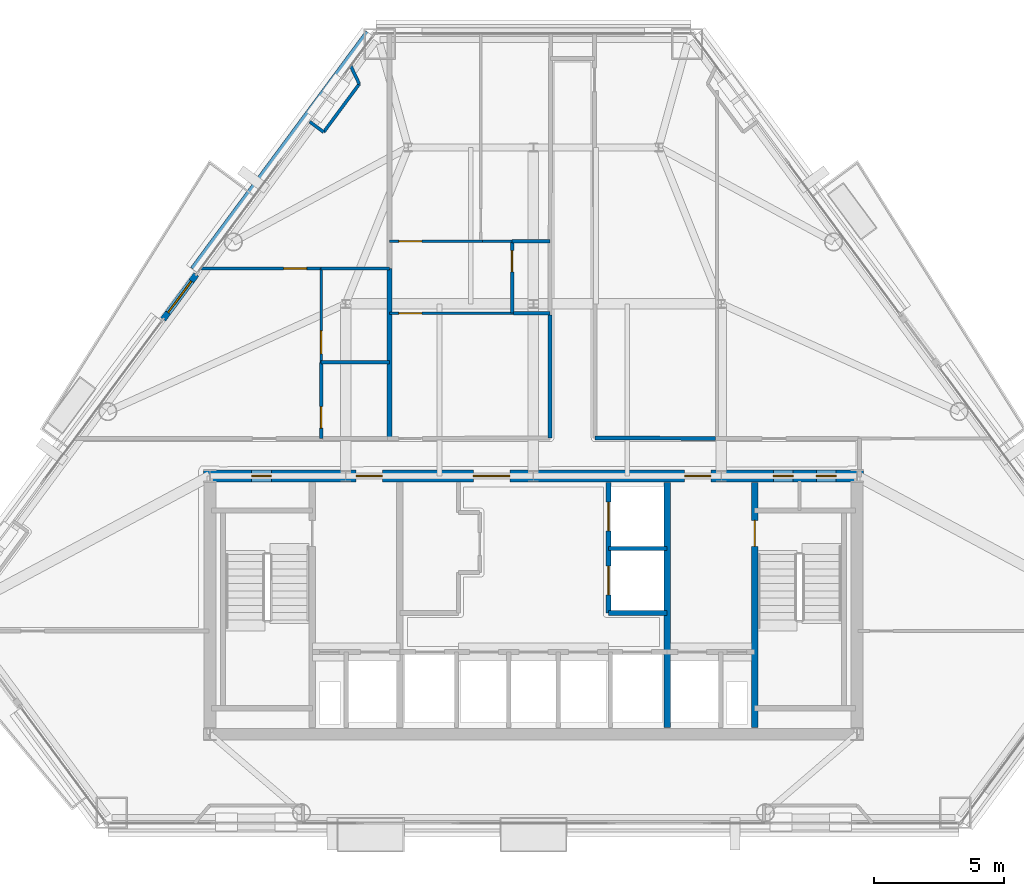
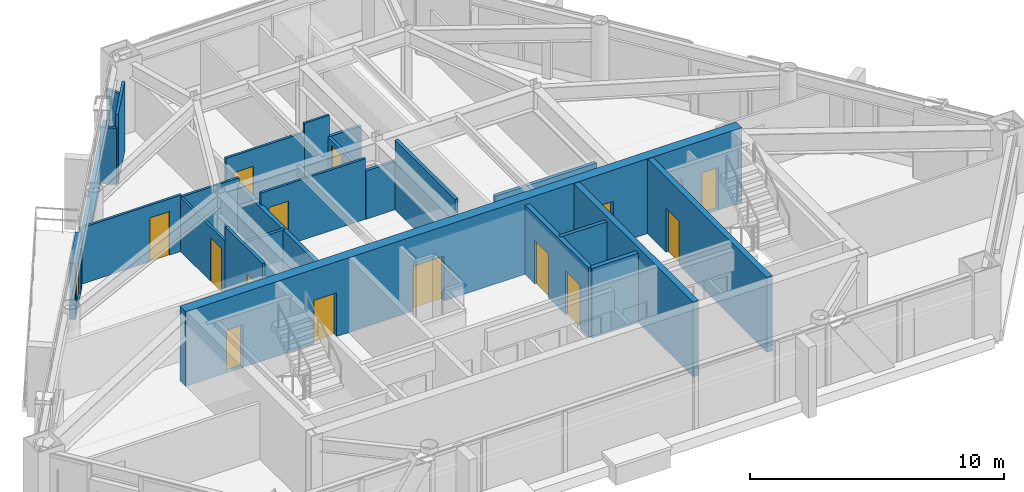
# One storey, part 9 of 13: 25 walls, 16 doors, 16 openings.
"""IFC4 building model written with IfcOpenShell, lengths in metres."""

import ifcopenshell
import ifcopenshell.guid

model = None  # the IFC model being written
_history = None  # IfcOwnerHistory: only IFC2X3 demands one
_inside = {}  # id of a spatial element -> (the spatial element, [elements in it])
_under = {}  # id of a project, library or spatial element -> (it, [spatial elements below it])
_declared = {}  # id of a project -> (the project, [libraries it declares])
_typed = {}  # id of a type object -> (the type object, [elements of that type])
_made_of = {}  # id of a material, layer set ... -> (it, [elements and type objects made of it])


def new_model(schema):
    """Start an empty IFC model of exactly this schema.

    Asked for "IFC4X3", IfcOpenShell would pick the latest addendum, in which some entities
    have other attributes; the version numbers below select the first issue.
    IFC2X3 requires an IfcOwnerHistory on every rooted entity: one is made here for all.
    """
    global model, _history
    if schema == "IFC4X3":
        model = ifcopenshell.file(schema_version=(4, 3, 0, 0))
    else:
        model = ifcopenshell.file(schema=schema)
    _inside.clear()
    _under.clear()
    _declared.clear()
    _typed.clear()
    _made_of.clear()
    _history = None
    if model.schema == "IFC2X3":
        org = make("IfcOrganization", Name="unknown")
        user = make(
            "IfcPersonAndOrganization",
            ThePerson=make("IfcPerson", FamilyName="unknown"),
            TheOrganization=org,
        )
        app = make(
            "IfcApplication",
            ApplicationDeveloper=org,
            Version="unknown",
            ApplicationFullName="unknown",
            ApplicationIdentifier="unknown",
        )
        _history = make(
            "IfcOwnerHistory",
            OwningUser=user,
            OwningApplication=app,
            ChangeAction="ADDED",
            CreationDate=0,
        )
    return model


def make(cls, **values):
    """One entity of the class cls with the attributes given. An attribute that is None is left unset."""
    return model.create_entity(
        cls, **{name: value for name, value in values.items() if value is not None}
    )


def rooted(cls, **values):
    """An entity with a GlobalId (a new one), such as an element, a storey or a relation."""
    return make(cls, GlobalId=ifcopenshell.guid.new(), OwnerHistory=_history, **values)


def si_unit(unit_type, name, prefix=None):
    """IfcSIUnit, for example si_unit("LENGTHUNIT", "METRE", prefix="MILLI")."""
    return make("IfcSIUnit", UnitType=unit_type, Prefix=prefix, Name=name)


def assignment(units):
    """IfcUnitAssignment: the units of a project."""
    return None if units is None else make("IfcUnitAssignment", Units=units)


def point(xyz):
    """IfcCartesianPoint."""
    return None if xyz is None else make("IfcCartesianPoint", Coordinates=xyz)


def direction(xyz):
    """IfcDirection."""
    return None if xyz is None else make("IfcDirection", DirectionRatios=xyz)


def frame(location, z_axis=None, x_axis=None):
    """IfcAxis2Placement3D, a coordinate frame: its origin and axes. An axis left out is left unset."""
    return make(
        "IfcAxis2Placement3D",
        Location=point(location),
        Axis=direction(z_axis),
        RefDirection=direction(x_axis),
    )


def frame_2d(location, x_axis=None):
    """IfcAxis2Placement2D, a coordinate frame in the plane: its origin and x axis."""
    return make(
        "IfcAxis2Placement2D", Location=point(location), RefDirection=direction(x_axis)
    )


def origin():
    """The frame at (0, 0, 0) with its axes left unset."""
    return frame((0.0, 0.0, 0.0))


def place(relative_to, where):
    """IfcLocalPlacement: puts the frame where relative to a parent placement (None: the world)."""
    return make(
        "IfcLocalPlacement", PlacementRelTo=relative_to, RelativePlacement=where
    )


def context(
    kind, dimensions, precision=None, world=None, true_north=None, identifier=None
):
    """IfcGeometricRepresentationContext, for example the 3D "Model" context."""
    return make(
        "IfcGeometricRepresentationContext",
        ContextIdentifier=identifier,
        ContextType=kind,
        CoordinateSpaceDimension=dimensions,
        Precision=precision,
        WorldCoordinateSystem=world,
        TrueNorth=true_north,
    )


def subcontext(parent, identifier, kind, view, scale=None):
    """IfcGeometricRepresentationSubContext, for example "Body" below "Model"."""
    return make(
        "IfcGeometricRepresentationSubContext",
        ContextIdentifier=identifier,
        ContextType=kind,
        ParentContext=parent,
        TargetScale=scale,
        TargetView=view,
    )


def project(units=None, contexts=None):
    """IfcProject with its units and contexts."""
    return rooted(
        "IfcProject",
        Name="project",
        RepresentationContexts=contexts,
        UnitsInContext=assignment(units),
    )


def spatial(cls, under=None, at=None, **own):
    """A site, building, storey or space (cls), placed at a placement, below another one or the project."""
    s = rooted(cls, ObjectPlacement=at, **own)
    if under is not None:
        _under.setdefault(under.id(), (under, []))[1].append(s)
    return s


def profile(cls, at=None, kind="AREA", **sizes):
    """A parametric profile (cls). Its sizes go by their IFC names, for example OverallWidth=200.0."""
    return make(cls, ProfileType=kind, Position=at, **sizes)


def rectangle(**sizes):
    """IfcRectangleProfileDef."""
    return profile("IfcRectangleProfileDef", **sizes)


def extrude(swept, where, along, depth):
    """IfcExtrudedAreaSolid: the profile swept, set in the frame where, extruded along a direction by depth."""
    return make(
        "IfcExtrudedAreaSolid",
        SweptArea=swept,
        Position=where,
        ExtrudedDirection=direction(along),
        Depth=depth,
    )


def shape(context_of_items, identifier, shape_type, items):
    """IfcShapeRepresentation: the items that make up one representation, for example the "Body"."""
    return make(
        "IfcShapeRepresentation",
        ContextOfItems=context_of_items,
        RepresentationIdentifier=identifier,
        RepresentationType=shape_type,
        Items=items,
    )


def material(Name=None, Category=None):
    """IfcMaterial."""
    return make("IfcMaterial", Name=Name, Category=Category)


def layer(
    of_material, thickness, ventilated=None, Name=None, Category=None, Priority=None
):
    """IfcMaterialLayer: one layer of a wall or slab, of a material (None: an air gap)."""
    return make(
        "IfcMaterialLayer",
        Material=of_material,
        LayerThickness=thickness,
        IsVentilated=ventilated,
        Name=Name,
        Category=Category,
        Priority=Priority,
    )


def layer_set(layers, Name=None):
    """IfcMaterialLayerSet."""
    return make("IfcMaterialLayerSet", MaterialLayers=layers, LayerSetName=Name)


def made_of(thing, what):
    """Note that an element or type object is made of a material, layer set ...; save() writes the relation."""
    if what is not None:
        _made_of.setdefault(what.id(), (what, []))[1].append(thing)
    return thing


def type_object(cls, material=None, **own):
    """A type object (cls), such as IfcWallType, which elements share."""
    return made_of(rooted(cls, **own), material)


def element(
    cls,
    number,
    at=None,
    inside=None,
    cuts=None,
    type_object=None,
    material=None,
    context=None,
    identifier="Body",
    shape_type=None,
    held_by="IfcProductDefinitionShape",
    body=None,
    shapes=None,
    **own,
):
    """One element of the class cls, such as IfcWall. Its Tag is "e" and its number.

    at: its placement. inside: the storey or other place that contains it. cuts: it is an
    opening in that element (IfcRelVoidsElement). A single representation is given by context,
    identifier, shape_type and body (its items); several are given by shapes. held_by: the class
    of the entity that holds the representations. save() writes the other relations.
    """
    e = rooted(cls, Tag="e%d" % number, ObjectPlacement=at, **own)
    if body is not None:
        shapes = [shape(context, identifier, shape_type, body)]
    if shapes is not None:
        e.Representation = make(held_by, Representations=shapes)
    if inside is not None:
        _inside.setdefault(inside.id(), (inside, []))[1].append(e)
    if cuts is not None:
        rooted(
            "IfcRelVoidsElement", RelatingBuildingElement=cuts, RelatedOpeningElement=e
        )
    if type_object is not None:
        _typed.setdefault(type_object.id(), (type_object, []))[1].append(e)
    return made_of(e, material)


def fill(opening, filler):
    """IfcRelFillsElement: the door or window that sits in an opening."""
    return rooted(
        "IfcRelFillsElement",
        RelatingOpeningElement=opening,
        RelatedBuildingElement=filler,
    )


def aggregate(whole, parts):
    """IfcRelAggregates: a whole, such as a stair, and the parts it consists of."""
    return rooted("IfcRelAggregates", RelatingObject=whole, RelatedObjects=parts)


def save(model, path):
    """Write the relations noted so far, then the file.

    IfcRelAggregates (storeys below a building ...), IfcRelContainedInSpatialStructure (elements
    in a storey), IfcRelDefinesByType, IfcRelAssociatesMaterial and IfcRelDeclares: one each for
    every whole, place, type object, material and project.
    """
    for whole, parts in _under.values():
        aggregate(whole, parts)
    for where, things in _inside.values():
        rooted(
            "IfcRelContainedInSpatialStructure",
            RelatedElements=things,
            RelatingStructure=where,
        )
    for kind, things in _typed.values():
        rooted("IfcRelDefinesByType", RelatedObjects=things, RelatingType=kind)
    for what, things in _made_of.values():
        rooted("IfcRelAssociatesMaterial", RelatedObjects=things, RelatingMaterial=what)
    for by, libraries in _declared.values():
        rooted("IfcRelDeclares", RelatingContext=by, RelatedDefinitions=libraries)
    model.write(path)


model = new_model("IFC4")

# Units and contexts
model_context = context("Model", 3, precision=1e-05, world=origin(), true_north=direction((0.0, 1.0)))
body_context = subcontext(model_context, "Body", "Model", "MODEL_VIEW")
ifc_project = project(units=[si_unit("LENGTHUNIT", "METRE"), si_unit("AREAUNIT", "SQUARE_METRE"), si_unit("VOLUMEUNIT", "CUBIC_METRE"), si_unit("PLANEANGLEUNIT", "RADIAN"), si_unit("MASSUNIT", "GRAM", prefix="KILO")], contexts=[model_context])

# Site, building, storey
site_placement = place(None, origin())
site = spatial("IfcSite", under=ifc_project, at=site_placement, CompositionType="ELEMENT")
building_placement = place(site_placement, origin())
building = spatial("IfcBuilding", under=site, at=building_placement, Name="Talgorran Terracotta Tower", CompositionType="ELEMENT")
storey_placement = place(building_placement, frame((0.0, 0.0, 99.60009765625)))
storey = spatial("IfcBuildingStorey", under=building, at=storey_placement, Name="L25", CompositionType="ELEMENT", Elevation=99.60009765625)

# Wall, opening, door
ifc_material_1 = material(Name="Concrete C40/50", Category="concrete")
ifc_layer_1 = layer(ifc_material_1, 0.239990234375, Name="WT_BALCONY_SPAND")
ifc_layer_set_1 = layer_set([ifc_layer_1], Name="Concrete C40/50")
wall_type_1 = type_object("IfcWallType", Name="WT_BALCONY_SPAND", PredefinedType="STANDARD", material=ifc_layer_set_1)
wall_1_placement = place(storey_placement, frame((-12.92626953125, 3.52783203125, -0.01513671875), z_axis=(0.0, 0.0, 1.0), x_axis=(-0.594840056707, -0.803844081235, 0.0)))
wall_1 = element("IfcWall", 1, at=wall_1_placement, inside=storey, type_object=wall_type_1, Name="WL-L25-BALP-BAL-NW", PredefinedType="STANDARD", context=body_context, shape_type="SweptSolid", body=[
    extrude(rectangle(XDim=2.139892578125, YDim=0.239990234375, at=frame_2d((1.06982421875, 0.0))), origin(), (0.0, 0.0, 1.0), 2.728515625),
])
opening_1_placement = place(wall_1_placement, frame((0.320068359375, 0.0, 0.014892578125)))
opening_1 = element("IfcOpeningElement", 2, at=opening_1_placement, cuts=wall_1, Name="Opening D-BAL-L25-2", PredefinedType="OPENING", context=body_context, shape_type="SweptSolid", body=[
    extrude(rectangle(XDim=1.506, YDim=2.203951171875, at=frame_2d((0.75, 1.10205078125))), frame((0.0, 0.1298828125, 0.0), z_axis=(0.0, -1.0, 0.0), x_axis=(1.0, 0.0, 0.0)), (0.0, 0.0, 1.0), 0.260009765625),
])
ifc_material_2 = material(Name="Thermally Broken Aluminium", Category="aluminium")
door_type_1 = type_object("IfcDoorType", Name="DT_BALC_1500", OperationType="SLIDING_TO_RIGHT", PredefinedType="DOOR", material=ifc_material_2)
door_1_placement = place(opening_1_placement, origin())
door_1 = element("IfcDoor", 3, at=door_1_placement, inside=storey, type_object=door_type_1, Name="DR-L25-BAL-BAL-NW", OperationType="SLIDING_TO_RIGHT", OverallHeight=2.199951171875, OverallWidth=1.5, PredefinedType="DOOR", context=body_context, shape_type="SweptSolid", body=[
    extrude(rectangle(XDim=1.5, YDim=2.199951171875, at=frame_2d((0.75, 1.10009765625))), frame((0.0, 0.02490234375, 0.0), z_axis=(0.0, -1.0, 0.0), x_axis=(1.0, 0.0, 0.0)), (0.0, 0.0, 1.0), 0.050048828125),
])
fill(opening_1, door_1)

# Wall, openings, doors
ifc_material_3 = material(Name="Concrete C50/60", Category="concrete")
ifc_layer_2 = layer(ifc_material_3, 0.199951171875, Name="WT_CORE_200")
ifc_layer_set_2 = layer_set([ifc_layer_2], Name="Concrete C50/60")
wall_type_2 = type_object("IfcWallType", Name="WT_CORE_200", PredefinedType="SOLIDWALL", material=ifc_layer_set_2)
wall_2_placement = place(storey_placement, frame((2.8798828125, -9.449951171875, 0.0), z_axis=(0.0, 0.0, 1.0), x_axis=(0.0, 1.0, 0.0)))
wall_2 = element("IfcWall", 4, at=wall_2_placement, inside=storey, type_object=wall_type_2, Name="WL-L25-CW-V-E3", PredefinedType="SOLIDWALL", context=body_context, shape_type="SweptSolid", body=[
    extrude(rectangle(XDim=5.0, YDim=0.199951171875, at=frame_2d((2.5, 0.0))), origin(), (0.0, 0.0, 1.0), 3.349853515625),
])
opening_2_placement = place(wall_2_placement, frame((0.699951171875, 0.0, 0.0)))
opening_2 = element("IfcOpeningElement", 5, at=opening_2_placement, cuts=wall_2, Name="Opening LD-PLM1", PredefinedType="OPENING", context=body_context, shape_type="SweptSolid", body=[
    extrude(rectangle(XDim=1.10609765625, YDim=2.10409765625, at=frame_2d((0.550048828125, 1.052001953125))), frame((0.0, 0.10986328125, 0.0), z_axis=(0.0, -1.0, 0.0), x_axis=(1.0, 0.0, 0.0)), (0.0, 0.0, 1.0), 0.219970703125),
])
opening_3_placement = place(wall_2_placement, frame((3.14990234375, 0.0, 0.0)))
opening_3 = element("IfcOpeningElement", 6, at=opening_3_placement, cuts=wall_2, Name="Opening LD-PLM2", PredefinedType="OPENING", context=body_context, shape_type="SweptSolid", body=[
    extrude(rectangle(XDim=1.10609765625, YDim=2.10409765625, at=frame_2d((0.550048828125, 1.052001953125))), frame((0.0, 0.10986328125, 0.0), z_axis=(0.0, -1.0, 0.0), x_axis=(1.0, 0.0, 0.0)), (0.0, 0.0, 1.0), 0.219970703125),
])
ifc_material_4 = material(Name="Brushed Stainless Steel Grade 304", Category="steel")
door_type_2 = type_object("IfcDoorType", Name="DT_LIFT_LD1100", OperationType="DOUBLE_DOOR_SLIDING", PredefinedType="DOOR", material=ifc_material_4)
door_2_placement = place(opening_2_placement, origin())
door_2 = element("IfcDoor", 7, at=door_2_placement, inside=storey, type_object=door_type_2, Name="L25 Lift Landing Door LD-PLM1", OperationType="DOUBLE_DOOR_SLIDING", OverallHeight=2.10009765625, OverallWidth=1.10009765625, PredefinedType="DOOR", context=body_context, shape_type="SweptSolid", body=[
    extrude(rectangle(XDim=1.10009765625, YDim=2.10009765625, at=frame_2d((0.550048828125, 1.050048828125))), frame((0.0, 0.02490234375, 0.0), z_axis=(0.0, -1.0, 0.0), x_axis=(1.0, 0.0, 0.0)), (0.0, 0.0, 1.0), 0.050048828125),
])
fill(opening_2, door_2)
door_3_placement = place(opening_3_placement, origin())
door_3 = element("IfcDoor", 8, at=door_3_placement, inside=storey, type_object=door_type_2, Name="L25 Lift Landing Door LD-PLM2", OperationType="DOUBLE_DOOR_SLIDING", OverallHeight=2.10009765625, OverallWidth=1.10009765625, PredefinedType="DOOR", context=body_context, shape_type="SweptSolid", body=[
    extrude(rectangle(XDim=1.10009765625, YDim=2.10009765625, at=frame_2d((0.550048828125, 1.050048828125))), frame((0.0, 0.02490234375, 0.0), z_axis=(0.0, -1.0, 0.0), x_axis=(1.0, 0.0, 0.0)), (0.0, 0.0, 1.0), 0.050048828125),
])
fill(opening_3, door_3)

# Wall
wall_3_placement = place(storey_placement, frame((2.8798828125, -9.449951171875, 0.0), z_axis=(0.0, 0.0, 1.0), x_axis=(1.0, 0.0, 0.0)))
element("IfcWall", 9, at=wall_3_placement, inside=storey, type_object=wall_type_2, Name="WL-L25-CW-H-E4", PredefinedType="SOLIDWALL", context=body_context, shape_type="SweptSolid", body=[
    extrude(rectangle(XDim=2.240234375, YDim=0.199951171875, at=frame_2d((1.1201171875, 0.0))), origin(), (0.0, 0.0, 1.0), 3.349853515625),
])

# Wall, opening, door
ifc_layer_3 = layer(ifc_material_3, 0.25, Name="WT_CORE_250")
ifc_layer_set_3 = layer_set([ifc_layer_3], Name="Concrete C50/60")
wall_type_3 = type_object("IfcWallType", Name="WT_CORE_250", PredefinedType="SHEAR", material=ifc_layer_set_3)
wall_4_placement = place(storey_placement, frame((8.47998046875, -13.85009765625, 0.0), z_axis=(0.0, 0.0, 1.0), x_axis=(0.0, 1.0, 0.0)))
wall_4 = element("IfcWall", 10, at=wall_4_placement, inside=storey, type_object=wall_type_3, Name="WL-L25-CW-V-E1", PredefinedType="SHEAR", context=body_context, shape_type="SweptSolid", body=[
    extrude(rectangle(XDim=9.400146484375, YDim=0.25, at=frame_2d((4.7001953125, 0.0))), origin(), (0.0, 0.0, 1.0), 3.599853515625),
])
opening_4_placement = place(wall_4_placement, frame((6.949951171875, 0.0, 0.0)))
opening_4 = element("IfcOpeningElement", 11, at=opening_4_placement, cuts=wall_4, Name="Opening DR-ST02", PredefinedType="OPENING", context=body_context, shape_type="SweptSolid", body=[
    extrude(rectangle(XDim=1.006, YDim=2.10409765625, at=frame_2d((0.5, 1.052001953125))), frame((0.0, 0.135009765625, 0.0), z_axis=(0.0, -1.0, 0.0), x_axis=(1.0, 0.0, 0.0)), (0.0, 0.0, 1.0), 0.27001953125),
])
ifc_material_5 = material(Name="Fire-Rated Pressed Steel", Category="steel")
door_type_3 = type_object("IfcDoorType", Name="DT_FIRE_1000", OperationType="NOTDEFINED", PredefinedType="DOOR", material=ifc_material_5)
door_4_placement = place(opening_4_placement, origin())
door_4 = element("IfcDoor", 12, at=door_4_placement, inside=storey, type_object=door_type_3, Name="DR-ST02", OperationType="SINGLE_SWING_RIGHT", OverallHeight=2.10009765625, OverallWidth=1.0, PredefinedType="DOOR", context=body_context, shape_type="SweptSolid", body=[
    extrude(rectangle(XDim=1.0, YDim=2.10009765625, at=frame_2d((0.5, 1.050048828125))), frame((0.0, 0.02490234375, 0.0), z_axis=(0.0, -1.0, 0.0), x_axis=(1.0, 0.0, 0.0)), (0.0, 0.0, 1.0), 0.050048828125),
])
fill(opening_4, door_4)

# Wall
wall_5_placement = place(storey_placement, frame((5.1201171875, -13.85009765625, 0.0), z_axis=(0.0, 0.0, 1.0), x_axis=(0.0, 1.0, 0.0)))
element("IfcWall", 13, at=wall_5_placement, inside=storey, type_object=wall_type_3, Name="WL-L25-CW-V-E2", PredefinedType="SHEAR", context=body_context, shape_type="SweptSolid", body=[
    extrude(rectangle(XDim=9.400146484375, YDim=0.25, at=frame_2d((4.7001953125, 0.0))), origin(), (0.0, 0.0, 1.0), 3.599853515625),
])

# Wall, openings, doors
ifc_material_6 = material(Name="Concrete C65/80", Category="concrete")
ifc_layer_4 = layer(ifc_material_6, 0.449951171875, Name="WT_CORE_EXT")
ifc_layer_set_4 = layer_set([ifc_layer_4], Name="Concrete C65/80")
wall_type_4 = type_object("IfcWallType", Name="WT_CORE_EXT", PredefinedType="SHEAR", material=ifc_layer_set_4)
wall_6_placement = place(storey_placement, frame((-12.64990234375, -4.199951171875, 0.0), z_axis=(0.0, 0.0, 1.0), x_axis=(1.0, 0.0, 0.0)))
wall_6 = element("IfcWall", 14, at=wall_6_placement, inside=storey, type_object=wall_type_4, Name="WL-L25-CW-OUT-N", PredefinedType="SHEAR", context=body_context, shape_type="SweptSolid", body=[
    extrude(rectangle(XDim=25.2998046875, YDim=0.449951171875, at=frame_2d((12.64990234375, 0.0))), origin(), (0.0, 0.0, 1.0), 3.599853515625),
])
opening_5_placement = place(wall_6_placement, frame((1.85009765625, 0.0, 0.0)))
opening_5 = element("IfcOpeningElement", 15, at=opening_5_placement, cuts=wall_6, Name="Opening DR-CSN1", PredefinedType="OPENING", context=body_context, shape_type="SweptSolid", body=[
    extrude(rectangle(XDim=0.756, YDim=2.054048828125, at=frame_2d((0.375, 1.027099609375))), frame((0.0, 0.23486328125, 0.0), z_axis=(0.0, -1.0, 0.0), x_axis=(1.0, 0.0, 0.0)), (0.0, 0.0, 1.0), 0.469970703125),
])
opening_6_placement = place(wall_6_placement, frame((21.85009765625, 0.0, 0.0)))
opening_6 = element("IfcOpeningElement", 16, at=opening_6_placement, cuts=wall_6, Name="Opening DR-CSN2", PredefinedType="OPENING", context=body_context, shape_type="SweptSolid", body=[
    extrude(rectangle(XDim=0.756, YDim=2.054048828125, at=frame_2d((0.375, 1.027099609375))), frame((0.0, 0.23486328125, 0.0), z_axis=(0.0, -1.0, 0.0), x_axis=(1.0, 0.0, 0.0)), (0.0, 0.0, 1.0), 0.469970703125),
])
opening_7_placement = place(wall_6_placement, frame((23.5, 0.0, 0.0)))
opening_7 = element("IfcOpeningElement", 17, at=opening_7_placement, cuts=wall_6, Name="Opening DR-CSN3", PredefinedType="OPENING", context=body_context, shape_type="SweptSolid", body=[
    extrude(rectangle(XDim=0.756, YDim=2.054048828125, at=frame_2d((0.375, 1.027099609375))), frame((0.0, 0.23486328125, 0.0), z_axis=(0.0, -1.0, 0.0), x_axis=(1.0, 0.0, 0.0)), (0.0, 0.0, 1.0), 0.469970703125),
])
opening_8_placement = place(wall_6_placement, frame((5.85009765625, 0.0, 0.0)))
opening_8 = element("IfcOpeningElement", 18, at=opening_8_placement, cuts=wall_6, Name="Opening DR-FFLW-N", PredefinedType="OPENING", context=body_context, shape_type="SweptSolid", body=[
    extrude(rectangle(XDim=1.006, YDim=2.10409765625, at=frame_2d((0.5, 1.052001953125))), frame((0.0, 0.23486328125, 0.0), z_axis=(0.0, -1.0, 0.0), x_axis=(1.0, 0.0, 0.0)), (0.0, 0.0, 1.0), 0.469970703125),
])
opening_9_placement = place(wall_6_placement, frame((10.35009765625, 0.0, 0.0)))
opening_9 = element("IfcOpeningElement", 19, at=opening_9_placement, cuts=wall_6, Name="Opening DR-PLL-N", PredefinedType="OPENING", context=body_context, shape_type="SweptSolid", body=[
    extrude(rectangle(XDim=1.40590234375, YDim=2.15390234375, at=frame_2d((0.699951171875, 1.076904296875))), frame((0.0, 0.23486328125, 0.0), z_axis=(0.0, -1.0, 0.0), x_axis=(1.0, 0.0, 0.0)), (0.0, 0.0, 1.0), 0.469970703125),
])
opening_10_placement = place(wall_6_placement, frame((18.449951171875, 0.0, 0.0)))
opening_10 = element("IfcOpeningElement", 20, at=opening_10_placement, cuts=wall_6, Name="Opening DR-FFLE-N", PredefinedType="OPENING", context=body_context, shape_type="SweptSolid", body=[
    extrude(rectangle(XDim=1.006, YDim=2.10409765625, at=frame_2d((0.5, 1.052001953125))), frame((0.0, 0.23486328125, 0.0), z_axis=(0.0, -1.0, 0.0), x_axis=(1.0, 0.0, 0.0)), (0.0, 0.0, 1.0), 0.469970703125),
])
ifc_material_7 = material(Name="Acoustic Glazed Timber", Category="wood")
door_type_4 = type_object("IfcDoorType", Name="DT_DOUBLE_1400", OperationType="DOUBLE_DOOR_SINGLE_SWING", PredefinedType="DOOR", material=ifc_material_7)
door_5_placement = place(opening_9_placement, origin())
door_5 = element("IfcDoor", 21, at=door_5_placement, inside=storey, type_object=door_type_4, Name="DR-PLL-N", OperationType="DOUBLE_DOOR_SINGLE_SWING", OverallHeight=2.14990234375, OverallWidth=1.39990234375, PredefinedType="DOOR", context=body_context, shape_type="SweptSolid", body=[
    extrude(rectangle(XDim=1.39990234375, YDim=2.14990234375, at=frame_2d((0.699951171875, 1.074951171875))), frame((0.0, 0.02490234375, 0.0), z_axis=(0.0, -1.0, 0.0), x_axis=(1.0, 0.0, 0.0)), (0.0, 0.0, 1.0), 0.050048828125),
])
fill(opening_9, door_5)
door_6_placement = place(opening_8_placement, origin())
door_6 = element("IfcDoor", 22, at=door_6_placement, inside=storey, type_object=door_type_3, Name="DR-FFLW-N", OperationType="SINGLE_SWING_LEFT", OverallHeight=2.10009765625, OverallWidth=1.0, PredefinedType="DOOR", context=body_context, shape_type="SweptSolid", body=[
    extrude(rectangle(XDim=1.0, YDim=2.10009765625, at=frame_2d((0.5, 1.050048828125))), frame((0.0, 0.02490234375, 0.0), z_axis=(0.0, -1.0, 0.0), x_axis=(1.0, 0.0, 0.0)), (0.0, 0.0, 1.0), 0.050048828125),
])
fill(opening_8, door_6)
door_7_placement = place(opening_10_placement, origin())
door_7 = element("IfcDoor", 23, at=door_7_placement, inside=storey, type_object=door_type_3, Name="DR-FFLE-N", OperationType="SINGLE_SWING_RIGHT", OverallHeight=2.10009765625, OverallWidth=1.0, PredefinedType="DOOR", context=body_context, shape_type="SweptSolid", body=[
    extrude(rectangle(XDim=1.0, YDim=2.10009765625, at=frame_2d((0.5, 1.050048828125))), frame((0.0, 0.02490234375, 0.0), z_axis=(0.0, -1.0, 0.0), x_axis=(1.0, 0.0, 0.0)), (0.0, 0.0, 1.0), 0.050048828125),
])
fill(opening_10, door_7)
door_type_5 = type_object("IfcDoorType", Name="DT_RISER_750", OperationType="NOTDEFINED", PredefinedType="DOOR", material=ifc_material_5)
door_8_placement = place(opening_5_placement, origin())
door_8 = element("IfcDoor", 24, at=door_8_placement, inside=storey, type_object=door_type_5, Name="DR-CSN1", OperationType="SINGLE_SWING_LEFT", OverallHeight=2.050048828125, OverallWidth=0.75, PredefinedType="DOOR", context=body_context, shape_type="SweptSolid", body=[
    extrude(rectangle(XDim=0.75, YDim=2.050048828125, at=frame_2d((0.375, 1.02490234375))), frame((0.0, 0.02490234375, 0.0), z_axis=(0.0, -1.0, 0.0), x_axis=(1.0, 0.0, 0.0)), (0.0, 0.0, 1.0), 0.050048828125),
])
fill(opening_5, door_8)
door_9_placement = place(opening_6_placement, origin())
door_9 = element("IfcDoor", 25, at=door_9_placement, inside=storey, type_object=door_type_5, Name="DR-CSN2", OperationType="SINGLE_SWING_LEFT", OverallHeight=2.050048828125, OverallWidth=0.75, PredefinedType="DOOR", context=body_context, shape_type="SweptSolid", body=[
    extrude(rectangle(XDim=0.75, YDim=2.050048828125, at=frame_2d((0.375, 1.02490234375))), frame((0.0, 0.02490234375, 0.0), z_axis=(0.0, -1.0, 0.0), x_axis=(1.0, 0.0, 0.0)), (0.0, 0.0, 1.0), 0.050048828125),
])
fill(opening_6, door_9)
door_10_placement = place(opening_7_placement, origin())
door_10 = element("IfcDoor", 26, at=door_10_placement, inside=storey, type_object=door_type_5, Name="DR-CSN3", OperationType="SINGLE_SWING_RIGHT", OverallHeight=2.050048828125, OverallWidth=0.75, PredefinedType="DOOR", context=body_context, shape_type="SweptSolid", body=[
    extrude(rectangle(XDim=0.75, YDim=2.050048828125, at=frame_2d((0.375, 1.02490234375))), frame((0.0, 0.02490234375, 0.0), z_axis=(0.0, -1.0, 0.0), x_axis=(1.0, 0.0, 0.0)), (0.0, 0.0, 1.0), 0.050048828125),
])
fill(opening_7, door_10)

# Walls
ifc_material_8 = material(Name="Fire-Rated Steel Stud Plasterboard", Category="steel")
ifc_layer_5 = layer(ifc_material_8, 0.14990234375, Name="WT_FIRE_150")
ifc_layer_set_5 = layer_set([ifc_layer_5], Name="Fire-Rated Steel Stud Plasterboard")
wall_type_5 = type_object("IfcWallType", Name="WT_FIRE_150", PredefinedType="PARTITIONING", material=ifc_layer_set_5)
wall_7_placement = place(storey_placement, frame((0.639892578125, -2.739990234375, 0.0), z_axis=(0.0, 0.0, 1.0), x_axis=(0.0, 1.0, 0.0)))
element("IfcWall", 27, at=wall_7_placement, inside=storey, type_object=wall_type_5, Name="WL-L25-W-L25-R04", PredefinedType="PARTITIONING", context=body_context, shape_type="SweptSolid", body=[
    extrude(rectangle(XDim=4.718017578125, YDim=0.14990234375, at=frame_2d((2.35888671875, 0.0))), origin(), (0.0, 0.0, 1.0), 3.349853515625),
])
wall_8_placement = place(storey_placement, frame((2.360107421875, -2.739990234375, 0.0), z_axis=(0.0, 0.0, 1.0), x_axis=(0.999991056007, -0.0042294097, 0.0)))
element("IfcWall", 28, at=wall_8_placement, inside=storey, type_object=wall_type_5, Name="WL-L25-W-L25-R10", PredefinedType="PARTITIONING", context=body_context, shape_type="SweptSolid", body=[
    extrude(rectangle(XDim=4.617919921875, YDim=0.14990234375, at=frame_2d((2.30908203125, 0.0))), origin(), (0.0, 0.0, 1.0), 2.91845703125),
])
ifc_layer_6 = layer(ifc_material_1, 0.219970703125, Name="WT_PARAPET_RC")
ifc_layer_set_6 = layer_set([ifc_layer_6], Name="Concrete C40/50")
wall_type_6 = type_object("IfcWallType", Name="WT_PARAPET_RC", PredefinedType="PARAPET", material=ifc_layer_set_6)
wall_9_placement = place(storey_placement, frame((-6.29150390625, 12.760986328125, -0.2001953125), z_axis=(0.0, 0.0, 1.0), x_axis=(-0.594907064231, -0.803794491725, 0.0)))
element("IfcWall", 29, at=wall_9_placement, inside=storey, type_object=wall_type_6, Name="L25 Striped Portal Precast Cornice F60", PredefinedType="PARAPET", context=body_context, shape_type="SweptSolid", body=[
    extrude(rectangle(XDim=11.278564453125, YDim=0.360107421875, at=frame_2d((5.63916015625, 0.0))), origin(), (0.0, 0.0, 1.0), 0.380126953125),
])
ifc_material_9 = material(Name="Acoustic Stud and Plasterboard")
ifc_layer_7 = layer(ifc_material_9, 0.179931640625, Name="WT_PARTY_200")
ifc_layer_set_7 = layer_set([ifc_layer_7], Name="Acoustic Stud and Plasterboard")
wall_type_7 = type_object("IfcWallType", Name="WT_PARTY_200", PredefinedType="PARTITIONING", material=ifc_layer_set_7)
wall_10_placement = place(storey_placement, frame((-5.52001953125, -2.760009765625, 0.0), z_axis=(0.0, 0.0, 1.0), x_axis=(0.0, 1.0, 0.0)))
element("IfcWall", 30, at=wall_10_placement, inside=storey, type_object=wall_type_7, Name="WL-L25-W-L25-R16", PredefinedType="PARTITIONING", context=body_context, shape_type="SweptSolid", body=[
    extrude(rectangle(XDim=6.52001953125, YDim=0.179931640625, at=frame_2d((3.260009765625, 0.0))), origin(), (0.0, 0.0, 1.0), 2.324951171875),
])

# Wall, opening, door
ifc_material_10 = material(Name="Lightweight Steel Stud Partition", Category="steel")
ifc_layer_8 = layer(ifc_material_10, 0.10498046875, Name="WT_PART_110")
ifc_layer_set_8 = layer_set([ifc_layer_8], Name="Lightweight Steel Stud Partition")
wall_type_8 = type_object("IfcWallType", Name="WT_PART_110", PredefinedType="PARTITIONING", material=ifc_layer_set_8)
wall_11_placement = place(storey_placement, frame((-5.52001953125, 2.0400390625, 0.0), z_axis=(0.0, 0.0, 1.0), x_axis=(1.0, 0.0, 0.0)))
wall_11 = element("IfcWall", 31, at=wall_11_placement, inside=storey, type_object=wall_type_8, Name="WL-L25-W-L25-R25", PredefinedType="PARTITIONING", context=body_context, shape_type="SweptSolid", body=[
    extrude(rectangle(XDim=4.760009765625, YDim=0.10498046875, at=frame_2d((2.3798828125, 0.0))), origin(), (0.0, 0.0, 1.0), 2.91845703125),
])
opening_11_placement = place(wall_11_placement, frame((0.360107421875, 0.0, 0.0)))
opening_11 = element("IfcOpeningElement", 32, at=opening_11_placement, cuts=wall_11, Name="Opening DR-L25-R07", PredefinedType="OPENING", context=body_context, shape_type="SweptSolid", body=[
    extrude(rectangle(XDim=0.8858828125, YDim=2.10409765625, at=frame_2d((0.43994140625, 1.052001953125))), frame((0.0, 0.0625, 0.0), z_axis=(0.0, -1.0, 0.0), x_axis=(1.0, 0.0, 0.0)), (0.0, 0.0, 1.0), 0.125),
])
ifc_material_11 = material(Name="Solid-Core Painted Timber", Category="wood")
door_type_6 = type_object("IfcDoorType", Name="DT_INT_880", OperationType="NOTDEFINED", PredefinedType="DOOR", material=ifc_material_11)
door_11_placement = place(opening_11_placement, origin())
door_11 = element("IfcDoor", 33, at=door_11_placement, inside=storey, type_object=door_type_6, Name="DR-L25-R07", OperationType="SINGLE_SWING_LEFT", OverallHeight=2.10009765625, OverallWidth=0.8798828125, PredefinedType="DOOR", context=body_context, shape_type="SweptSolid", body=[
    extrude(rectangle(XDim=0.8798828125, YDim=2.10009765625, at=frame_2d((0.43994140625, 1.050048828125))), frame((0.0, 0.02490234375, 0.0), z_axis=(0.0, -1.0, 0.0), x_axis=(1.0, 0.0, 0.0)), (0.0, 0.0, 1.0), 0.050048828125),
])
fill(opening_11, door_11)

wall_12_placement = place(storey_placement, frame((-12.75439453125, 3.760009765625, 0.0), z_axis=(0.0, 0.0, 1.0), x_axis=(1.0, 0.0, 0.0)))
wall_12 = element("IfcWall", 34, at=wall_12_placement, inside=storey, type_object=wall_type_8, Name="WL-L25-W-L25-R21", PredefinedType="PARTITIONING", context=body_context, shape_type="SweptSolid", body=[
    extrude(rectangle(XDim=4.614501953125, YDim=0.10498046875, at=frame_2d((2.30712890625, 0.0))), origin(), (0.0, 0.0, 1.0), 2.71337890625),
])
opening_12_placement = place(wall_12_placement, frame((3.175048828125, 0.0, 0.0)))
opening_12 = element("IfcOpeningElement", 35, at=opening_12_placement, cuts=wall_12, Name="Opening DR-L25-R04", PredefinedType="OPENING", context=body_context, shape_type="SweptSolid", body=[
    extrude(rectangle(XDim=0.8858828125, YDim=2.10409765625, at=frame_2d((0.43994140625, 1.052001953125))), frame((0.0, 0.0625, 0.0), z_axis=(0.0, -1.0, 0.0), x_axis=(1.0, 0.0, 0.0)), (0.0, 0.0, 1.0), 0.125),
])
door_12_placement = place(opening_12_placement, origin())
door_12 = element("IfcDoor", 36, at=door_12_placement, inside=storey, type_object=door_type_6, Name="DR-L25-R04", OperationType="SINGLE_SWING_RIGHT", OverallHeight=2.10009765625, OverallWidth=0.8798828125, PredefinedType="DOOR", context=body_context, shape_type="SweptSolid", body=[
    extrude(rectangle(XDim=0.8798828125, YDim=2.10009765625, at=frame_2d((0.43994140625, 1.050048828125))), frame((0.0, 0.02490234375, 0.0), z_axis=(0.0, -1.0, 0.0), x_axis=(1.0, 0.0, 0.0)), (0.0, 0.0, 1.0), 0.050048828125),
])
fill(opening_12, door_12)

wall_13_placement = place(storey_placement, frame((-8.139892578125, 0.159912109375, 0.0), z_axis=(0.0, 0.0, 1.0), x_axis=(0.0, 1.0, 0.0)))
wall_13 = element("IfcWall", 37, at=wall_13_placement, inside=storey, type_object=wall_type_8, Name="WL-L25-W-L25-R17", PredefinedType="PARTITIONING", context=body_context, shape_type="SweptSolid", body=[
    extrude(rectangle(XDim=3.60009765625, YDim=0.10498046875, at=frame_2d((1.800048828125, 0.0))), origin(), (0.0, 0.0, 1.0), 2.616943359375),
])
opening_13_placement = place(wall_13_placement, frame((0.320068359375, 0.0, 0.0)))
opening_13 = element("IfcOpeningElement", 38, at=opening_13_placement, cuts=wall_13, Name="Opening DR-L25-R02", PredefinedType="OPENING", context=body_context, shape_type="SweptSolid", body=[
    extrude(rectangle(XDim=0.8858828125, YDim=2.10409765625, at=frame_2d((0.43994140625, 1.052001953125))), frame((0.0, 0.0625, 0.0), z_axis=(0.0, -1.0, 0.0), x_axis=(1.0, 0.0, 0.0)), (0.0, 0.0, 1.0), 0.125),
])
door_13_placement = place(opening_13_placement, origin())
door_13 = element("IfcDoor", 39, at=door_13_placement, inside=storey, type_object=door_type_6, Name="DR-L25-R02", OperationType="SINGLE_SWING_RIGHT", OverallHeight=2.10009765625, OverallWidth=0.8798828125, PredefinedType="DOOR", context=body_context, shape_type="SweptSolid", body=[
    extrude(rectangle(XDim=0.8798828125, YDim=2.10009765625, at=frame_2d((0.43994140625, 1.050048828125))), frame((0.0, 0.02490234375, 0.0), z_axis=(0.0, -1.0, 0.0), x_axis=(1.0, 0.0, 0.0)), (0.0, 0.0, 1.0), 0.050048828125),
])
fill(opening_13, door_13)

wall_14_placement = place(storey_placement, frame((-5.52001953125, 4.800048828125, 0.0), z_axis=(0.0, 0.0, 1.0), x_axis=(1.0, 0.0, 0.0)))
wall_14 = element("IfcWall", 40, at=wall_14_placement, inside=storey, type_object=wall_type_8, Name="WL-L25-W-L25-R28", PredefinedType="PARTITIONING", context=body_context, shape_type="SweptSolid", body=[
    extrude(rectangle(XDim=3.56005859375, YDim=0.10498046875, at=frame_2d((1.780029296875, 0.0))), origin(), (0.0, 0.0, 1.0), 2.91845703125),
])
opening_14_placement = place(wall_14_placement, frame((0.360107421875, 0.0, 0.0)))
opening_14 = element("IfcOpeningElement", 41, at=opening_14_placement, cuts=wall_14, Name="Opening DR-L25-R08", PredefinedType="OPENING", context=body_context, shape_type="SweptSolid", body=[
    extrude(rectangle(XDim=0.8858828125, YDim=2.10409765625, at=frame_2d((0.43994140625, 1.052001953125))), frame((0.0, 0.0625, 0.0), z_axis=(0.0, -1.0, 0.0), x_axis=(1.0, 0.0, 0.0)), (0.0, 0.0, 1.0), 0.125),
])
door_14_placement = place(opening_14_placement, origin())
door_14 = element("IfcDoor", 42, at=door_14_placement, inside=storey, type_object=door_type_6, Name="DR-L25-R08", OperationType="SINGLE_SWING_RIGHT", OverallHeight=2.10009765625, OverallWidth=0.8798828125, PredefinedType="DOOR", context=body_context, shape_type="SweptSolid", body=[
    extrude(rectangle(XDim=0.8798828125, YDim=2.10009765625, at=frame_2d((0.43994140625, 1.050048828125))), frame((0.0, 0.02490234375, 0.0), z_axis=(0.0, -1.0, 0.0), x_axis=(1.0, 0.0, 0.0)), (0.0, 0.0, 1.0), 0.050048828125),
])
fill(opening_14, door_14)

# Walls
wall_15_placement = place(storey_placement, frame((-8.139892578125, 3.760009765625, 0.0), z_axis=(0.0, 0.0, 1.0), x_axis=(1.0, 0.0, 0.0)))
element("IfcWall", 43, at=wall_15_placement, inside=storey, type_object=wall_type_8, Name="WL-L25-W-L25-R18", PredefinedType="PARTITIONING", context=body_context, shape_type="SweptSolid", body=[
    extrude(rectangle(XDim=2.619873046875, YDim=0.10498046875, at=frame_2d((1.31005859375, 0.0))), origin(), (0.0, 0.0, 1.0), 2.616943359375),
])
wall_16_placement = place(storey_placement, frame((-1.9580078125, 4.800048828125, 0.0), z_axis=(0.0, 0.0, 1.0), x_axis=(1.0, 0.0, 0.0)))
element("IfcWall", 44, at=wall_16_placement, inside=storey, type_object=wall_type_8, Name="WL-L25-W-L25-R29", PredefinedType="PARTITIONING", context=body_context, shape_type="SweptSolid", body=[
    extrude(rectangle(XDim=1.137939453125, YDim=0.10498046875, at=frame_2d((0.56884765625, 0.0))), origin(), (0.0, 0.0, 1.0), 3.349853515625),
])
ifc_material_12 = material(Name="Insulated Steel Stud Plasterboard", Category="steel")
ifc_layer_9 = layer(ifc_material_12, 0.1201171875, Name="WT_PART_120")
ifc_layer_set_9 = layer_set([ifc_layer_9], Name="Insulated Steel Stud Plasterboard")
wall_type_9 = type_object("IfcWallType", Name="WT_PART_120", PredefinedType="PARTITIONING", material=ifc_layer_set_9)
wall_17_placement = place(storey_placement, frame((-6.677001953125, 10.828369140625, 0.0), z_axis=(0.0, 0.0, 1.0), x_axis=(-0.594914508596, -0.803788981924, 0.0)))
element("IfcWall", 45, at=wall_17_placement, inside=storey, type_object=wall_type_9, Name="WL-L25-BW-L25-15", PredefinedType="PARTITIONING", context=body_context, shape_type="SweptSolid", body=[
    extrude(rectangle(XDim=2.29443359375, YDim=0.1201171875, at=frame_2d((1.147216796875, 0.0))), origin(), (0.0, 0.0, 1.0), 3.349853515625),
])
wall_18_placement = place(storey_placement, frame((-7.0029296875, 11.51416015625, 0.0), z_axis=(0.0, 0.0, 1.0), x_axis=(0.429247003256, -0.903187140185, 0.0)))
element("IfcWall", 46, at=wall_18_placement, inside=storey, type_object=wall_type_9, Name="WL-L25-BW-L25-14", PredefinedType="PARTITIONING", context=body_context, shape_type="SweptSolid", body=[
    extrude(rectangle(XDim=0.75927734375, YDim=0.1201171875, at=frame_2d((0.379638671875, 0.0))), origin(), (0.0, 0.0, 1.0), 2.71337890625),
])
wall_19_placement = place(storey_placement, frame((-8.0419921875, 8.984130859375, 0.0), z_axis=(0.0, 0.0, 1.0), x_axis=(-0.803615295139, 0.595149105198, 0.0)))
element("IfcWall", 47, at=wall_19_placement, inside=storey, type_object=wall_type_9, Name="WL-L25-BW-L25-16", PredefinedType="PARTITIONING", context=body_context, shape_type="SweptSolid", body=[
    extrude(rectangle(XDim=0.669921875, YDim=0.1201171875, at=frame_2d((0.3349609375, 0.0))), origin(), (0.0, 0.0, 1.0), 2.71337890625),
])

# Wall, opening, door
ifc_material_13 = material(Name="Moisture-Resistant Stud Wall")
ifc_layer_10 = layer(ifc_material_13, 0.135009765625, Name="WT_PART_135")
ifc_layer_set_10 = layer_set([ifc_layer_10], Name="Moisture-Resistant Stud Wall")
wall_type_10 = type_object("IfcWallType", Name="WT_PART_135", PredefinedType="PARTITIONING", material=ifc_layer_set_10)
wall_20_placement = place(storey_placement, frame((-8.139892578125, -2.760009765625, 0.0), z_axis=(0.0, 0.0, 1.0), x_axis=(0.0, 1.0, 0.0)))
wall_20 = element("IfcWall", 48, at=wall_20_placement, inside=storey, type_object=wall_type_10, Name="WL-L25-W-L25-R15", PredefinedType="PARTITIONING", context=body_context, shape_type="SweptSolid", body=[
    extrude(rectangle(XDim=2.919921875, YDim=0.135009765625, at=frame_2d((1.4599609375, 0.0))), origin(), (0.0, 0.0, 1.0), 3.349853515625),
])
opening_15_placement = place(wall_20_placement, frame((0.39697265625, 0.0, 0.0)))
opening_15 = element("IfcOpeningElement", 49, at=opening_15_placement, cuts=wall_20, Name="Opening DR-L25-R01", PredefinedType="OPENING", context=body_context, shape_type="SweptSolid", body=[
    extrude(rectangle(XDim=0.826068359375, YDim=2.10409765625, at=frame_2d((0.41015625, 1.052001953125))), frame((0.0, 0.07763671875, 0.0), z_axis=(0.0, -1.0, 0.0), x_axis=(1.0, 0.0, 0.0)), (0.0, 0.0, 1.0), 0.155029296875),
])
ifc_material_14 = material(Name="Moisture-Resistant Solid Timber", Category="wood")
door_type_7 = type_object("IfcDoorType", Name="DT_INT_820", OperationType="NOTDEFINED", PredefinedType="DOOR", material=ifc_material_14)
door_15_placement = place(opening_15_placement, origin())
door_15 = element("IfcDoor", 50, at=door_15_placement, inside=storey, type_object=door_type_7, Name="DR-L25-R01", OperationType="SINGLE_SWING_LEFT", OverallHeight=2.10009765625, OverallWidth=0.820068359375, PredefinedType="DOOR", context=body_context, shape_type="SweptSolid", body=[
    extrude(rectangle(XDim=0.820068359375, YDim=2.10009765625, at=frame_2d((0.41015625, 1.050048828125))), frame((0.0, 0.02490234375, 0.0), z_axis=(0.0, -1.0, 0.0), x_axis=(1.0, 0.0, 0.0)), (0.0, 0.0, 1.0), 0.050048828125),
])
fill(opening_15, door_15)

wall_21_placement = place(storey_placement, frame((-0.820068359375, 2.0400390625, 0.0), z_axis=(0.0, 0.0, 1.0), x_axis=(0.0, 1.0, 0.0)))
wall_21 = element("IfcWall", 51, at=wall_21_placement, inside=storey, type_object=wall_type_10, Name="WL-L25-W-L25-R26", PredefinedType="PARTITIONING", context=body_context, shape_type="SweptSolid", body=[
    extrude(rectangle(XDim=2.760009765625, YDim=0.135009765625, at=frame_2d((1.3798828125, 0.0))), origin(), (0.0, 0.0, 1.0), 2.324951171875),
])
opening_16_placement = place(wall_21_placement, frame((1.582763671875, 0.0, 0.0)))
opening_16 = element("IfcOpeningElement", 52, at=opening_16_placement, cuts=wall_21, Name="Opening DR-L25-R06", PredefinedType="OPENING", context=body_context, shape_type="SweptSolid", body=[
    extrude(rectangle(XDim=0.826068359375, YDim=2.10409765625, at=frame_2d((0.41015625, 1.052001953125))), frame((0.0, 0.07763671875, 0.0), z_axis=(0.0, -1.0, 0.0), x_axis=(1.0, 0.0, 0.0)), (0.0, 0.0, 1.0), 0.155029296875),
])
door_16_placement = place(opening_16_placement, origin())
door_16 = element("IfcDoor", 53, at=door_16_placement, inside=storey, type_object=door_type_7, Name="DR-L25-R06", OperationType="SINGLE_SWING_RIGHT", OverallHeight=2.10009765625, OverallWidth=0.820068359375, PredefinedType="DOOR", context=body_context, shape_type="SweptSolid", body=[
    extrude(rectangle(XDim=0.820068359375, YDim=2.10009765625, at=frame_2d((0.41015625, 1.050048828125))), frame((0.0, 0.02490234375, 0.0), z_axis=(0.0, -1.0, 0.0), x_axis=(1.0, 0.0, 0.0)), (0.0, 0.0, 1.0), 0.050048828125),
])
fill(opening_16, door_16)

# Walls
wall_22_placement = place(storey_placement, frame((-8.139892578125, 0.159912109375, 0.0), z_axis=(0.0, 0.0, 1.0), x_axis=(1.0, 0.0, 0.0)))
element("IfcWall", 54, at=wall_22_placement, inside=storey, type_object=wall_type_10, Name="WL-L25-W-L25-R14", PredefinedType="PARTITIONING", context=body_context, shape_type="SweptSolid", body=[
    extrude(rectangle(XDim=2.619873046875, YDim=0.135009765625, at=frame_2d((1.31005859375, 0.0))), origin(), (0.0, 0.0, 1.0), 2.324951171875),
])
wall_23_placement = place(storey_placement, frame((-0.758056640625, 2.0400390625, 0.0), z_axis=(0.0, 0.0, 1.0), x_axis=(1.0, 0.0, 0.0)))
element("IfcWall", 55, at=wall_23_placement, inside=storey, type_object=wall_type_10, Name="WL-L25-W-L25-R24", PredefinedType="PARTITIONING", context=body_context, shape_type="SweptSolid", body=[
    extrude(rectangle(XDim=1.39794921875, YDim=0.135009765625, at=frame_2d((0.698974609375, 0.0))), origin(), (0.0, 0.0, 1.0), 2.324951171875),
])
wall_24_placement = place(storey_placement, frame((-0.820068359375, 4.800048828125, 0.0), z_axis=(0.0, 0.0, 1.0), x_axis=(1.0, 0.0, 0.0)))
element("IfcWall", 56, at=wall_24_placement, inside=storey, type_object=wall_type_10, Name="WL-L25-W-L25-R27", PredefinedType="PARTITIONING", context=body_context, shape_type="SweptSolid", body=[
    extrude(rectangle(XDim=1.4599609375, YDim=0.135009765625, at=frame_2d((0.72998046875, 0.0))), origin(), (0.0, 0.0, 1.0), 2.324951171875),
])
ifc_material_15 = material(Name="Fire-Rated Shaftwall")
ifc_layer_11 = layer(ifc_material_15, 0.159912109375, Name="WT_PART_150")
ifc_layer_set_11 = layer_set([ifc_layer_11], Name="Fire-Rated Shaftwall")
wall_type_11 = type_object("IfcWallType", Name="WT_PART_150", PredefinedType="PARTITIONING", material=ifc_layer_set_11)
wall_25_placement = place(storey_placement, frame((2.8798828125, -6.97998046875, 0.0), z_axis=(0.0, 0.0, 1.0), x_axis=(1.0, 0.0, 0.0)))
element("IfcWall", 57, at=wall_25_placement, inside=storey, type_object=wall_type_11, Name="WL-L25-CW-PLM-DIV", PredefinedType="PARTITIONING", context=body_context, shape_type="SweptSolid", body=[
    extrude(rectangle(XDim=2.240234375, YDim=0.159912109375, at=frame_2d((1.1201171875, 0.0))), origin(), (0.0, 0.0, 1.0), 3.349853515625),
])

save(model, "model.ifc")
